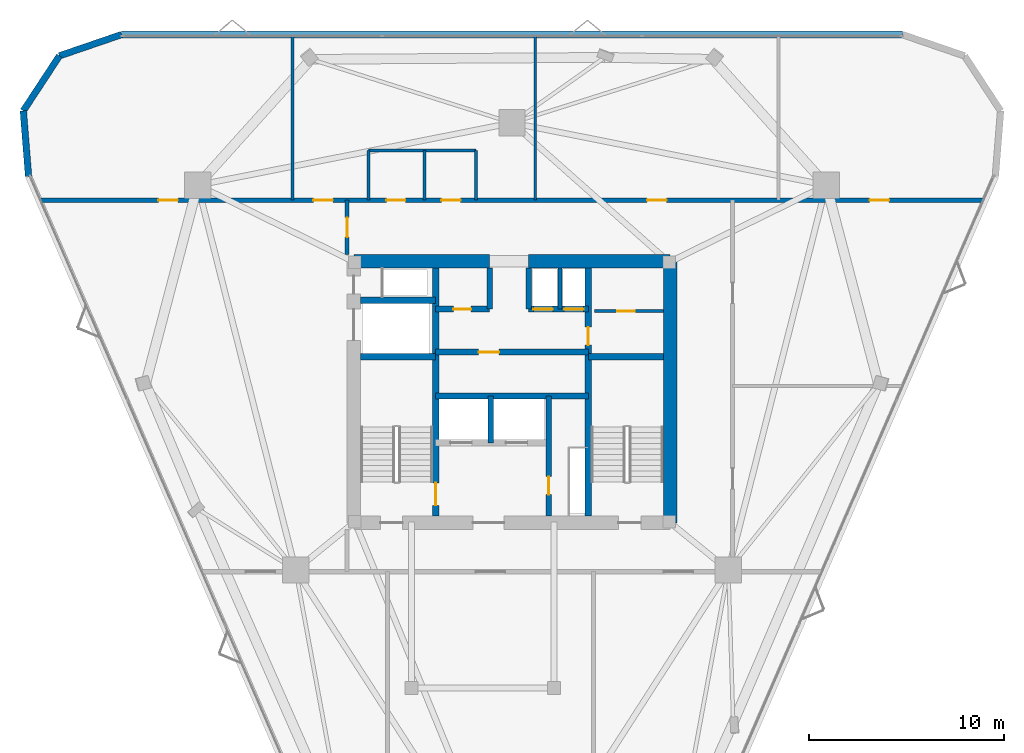
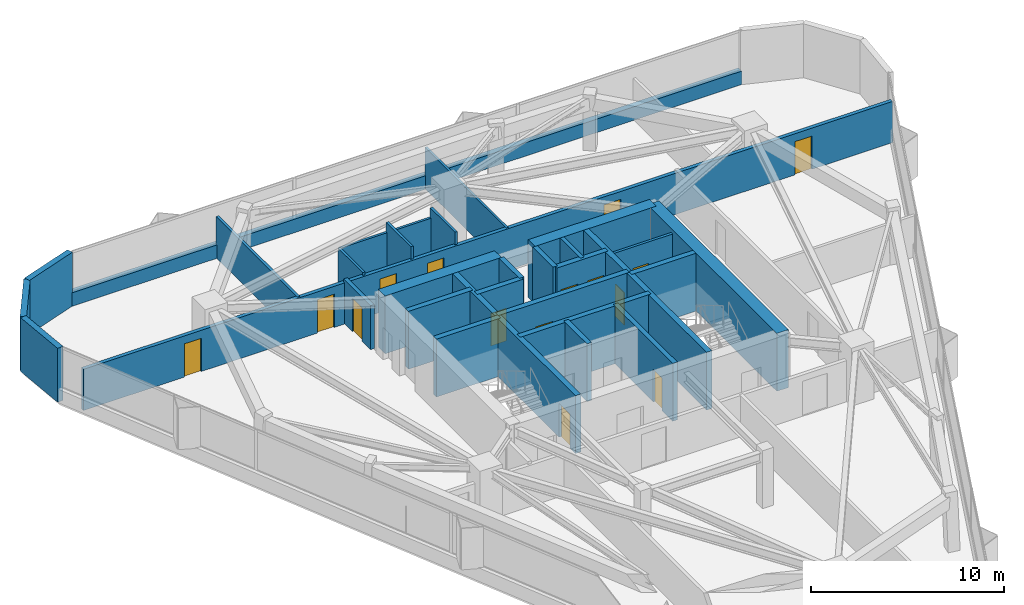
# One storey, part 10 of 12: 30 walls, 15 doors, 15 openings.
"""IFC4 building model written with IfcOpenShell, lengths in metres."""

from ifc_helpers import new_model, si_unit, direction, frame, frame_2d, origin, place, context, subcontext, project, spatial, rectangle, extrude, material, layer, layer_set, type_object, element, fill, save


model = new_model("IFC4")

# Units and contexts
model_context = context("Model", 3, precision=1e-05, world=origin(), true_north=direction((0.0, 1.0)))
body_context = subcontext(model_context, "Body", "Model", "MODEL_VIEW")
ifc_project = project(units=[si_unit("LENGTHUNIT", "METRE"), si_unit("AREAUNIT", "SQUARE_METRE"), si_unit("VOLUMEUNIT", "CUBIC_METRE"), si_unit("PLANEANGLEUNIT", "RADIAN"), si_unit("MASSUNIT", "GRAM", prefix="KILO")], contexts=[model_context])

# Site, building, storey
site_placement = place(None, origin())
site = spatial("IfcSite", under=ifc_project, at=site_placement, CompositionType="ELEMENT")
building_placement = place(site_placement, origin())
building = spatial("IfcBuilding", under=site, at=building_placement, Name="Talyreon Biosciences Tower", CompositionType="ELEMENT")
storey_placement = place(building_placement, frame((0.0, 0.0, 215.89990234375)))
storey = spatial("IfcBuildingStorey", under=building, at=storey_placement, Name="L57", CompositionType="ELEMENT", Elevation=215.89990234375)

# Walls
ifc_material_1 = material(Name="Concrete C50/60", Category="concrete")
ifc_layer_1 = layer(ifc_material_1, 0.219970703125)
ifc_layer_set_1 = layer_set([ifc_layer_1], Name="Concrete C50/60")
wall_type_1 = type_object("IfcWallType", Name="CoreShearWall_220", PredefinedType="SHEAR", material=ifc_layer_set_1)
wall_1_placement = place(storey_placement, frame((68.4599609375, 72.25, 0.0), z_axis=(0.0, 0.0, 1.0), x_axis=(0.0, 1.0, 0.0)))
element("IfcWall", 1, at=wall_1_placement, inside=storey, type_object=wall_type_1, Name="L57 Core Shaft Wall SWPHD", PredefinedType="SHEAR", context=body_context, shape_type="SweptSolid", body=[
    extrude(rectangle(XDim=2.10009765625, YDim=0.219970703125, at=frame_2d((1.050048828125, 0.0))), origin(), (0.0, 0.0, 1.0), 3.650146484375),
])
ifc_layer_2 = layer(ifc_material_1, 0.280029296875)
ifc_layer_set_2 = layer_set([ifc_layer_2], Name="Concrete C50/60")
wall_type_2 = type_object("IfcWallType", Name="CoreShearWall_280", PredefinedType="SHEAR", material=ifc_layer_set_2)
wall_2_placement = place(storey_placement, frame((64.919921875, 65.39990234375, 0.0), z_axis=(0.0, 0.0, 1.0), x_axis=(0.0, 1.0, 0.0)))
element("IfcWall", 2, at=wall_2_placement, inside=storey, type_object=wall_type_2, Name="L57 Core Shaft Wall SWSHD1", PredefinedType="SHEAR", context=body_context, shape_type="SweptSolid", body=[
    extrude(rectangle(XDim=2.400146484375, YDim=0.280029296875, at=frame_2d((1.2001953125, 0.0))), origin(), (0.0, 0.0, 1.0), 3.650146484375),
])
for number, where, z_axis, x_axis, name in (
    (3, (64.85009765625, 72.25, 0.0), (0.0, 0.0, 1.0), (0.0, 1.0, 0.0), "L57 Core Shaft Wall SWTHW"),
    (4, (66.85009765625, 72.25, 0.0), (0.0, 0.0, 1.0), (0.0, 1.0, 0.0), "L57 Core Shaft Wall SWTHE"),
):
    element("IfcWall", number, at=place(storey_placement, frame(where, z_axis=z_axis, x_axis=x_axis)), inside=storey, type_object=wall_type_2, Name=name, PredefinedType="SHEAR", context=body_context, shape_type="SweptSolid", body=[
        extrude(rectangle(XDim=2.10009765625, YDim=0.280029296875, at=frame_2d((1.050048828125, 0.0))), origin(), (0.0, 0.0, 1.0), 3.650146484375),
    ])

# Wall, opening, door
wall_3_placement = place(storey_placement, frame((67.8798828125, 61.64990234375, 0.0), z_axis=(0.0, 0.0, 1.0), x_axis=(0.0, 1.0, 0.0)))
wall_3 = element("IfcWall", 5, at=wall_3_placement, inside=storey, type_object=wall_type_2, Name="L57 Core Shaft Wall SWFFE", PredefinedType="SHEAR", context=body_context, shape_type="SweptSolid", body=[
    extrude(rectangle(XDim=6.150146484375, YDim=0.280029296875, at=frame_2d((3.0751953125, 0.0))), origin(), (0.0, 0.0, 1.0), 3.650146484375),
])
opening_1_placement = place(wall_3_placement, frame((1.10009765625, 0.0, 0.0)))
opening_1 = element("IfcOpeningElement", 6, at=opening_1_placement, cuts=wall_3, Name="Opening DR-L57-RSE", PredefinedType="OPENING", context=body_context, shape_type="SweptSolid", body=[
    extrude(rectangle(XDim=0.919921875, YDim=2.050048828125, at=frame_2d((0.4599609375, 1.02490234375))), frame((0.0, 0.14990234375, 0.0), z_axis=(0.0, -1.0, 0.0), x_axis=(1.0, 0.0, 0.0)), (0.0, 0.0, 1.0), 0.300048828125),
])
ifc_material_2 = material(Name="Painted steel fire-rated riser door", Category="steel")
door_type_1 = type_object("IfcDoorType", Name="RiserPlantAccessDoor_920x2050", OperationType="NOTDEFINED", PredefinedType="DOOR", material=ifc_material_2)
door_1_placement = place(opening_1_placement, origin())
door_1 = element("IfcDoor", 7, at=door_1_placement, inside=storey, type_object=door_type_1, Name="L57 Core Door DR-L57-RSE", OperationType="SINGLE_SWING_RIGHT", OverallHeight=2.050048828125, OverallWidth=0.919921875, PredefinedType="DOOR", context=body_context, shape_type="SweptSolid", body=[
    extrude(rectangle(XDim=0.919921875, YDim=2.050048828125, at=frame_2d((0.4599609375, 1.02490234375))), frame((0.0, 0.02490234375, 0.0), z_axis=(0.0, -1.0, 0.0), x_axis=(1.0, 0.0, 0.0)), (0.0, 0.0, 1.0), 0.050048828125),
])
fill(opening_1, door_1)

ifc_layer_3 = layer(ifc_material_1, 0.320068359375)
ifc_layer_set_3 = layer_set([ifc_layer_3], Name="Concrete C50/60")
wall_type_3 = type_object("IfcWallType", Name="CoreShearWall_320", PredefinedType="SHEAR", material=ifc_layer_set_3)
wall_4_placement = place(storey_placement, frame((62.090087890625, 61.64990234375, 0.0), z_axis=(0.0, 0.0, 1.0), x_axis=(0.0, 1.0, 0.0)))
wall_4 = element("IfcWall", 8, at=wall_4_placement, inside=storey, type_object=wall_type_3, Name="L57 Core Shaft Wall SW1E", PredefinedType="SHEAR", context=body_context, shape_type="SweptSolid", body=[
    extrude(rectangle(XDim=12.7001953125, YDim=0.320068359375, at=frame_2d((6.35009765625, 0.0))), origin(), (0.0, 0.0, 1.0), 3.650146484375),
])
opening_2_placement = place(wall_4_placement, frame((0.550048828125, 0.0, 0.0)))
opening_2 = element("IfcOpeningElement", 9, at=opening_2_placement, cuts=wall_4, Name="Opening DR-L57-FF-ST1", PredefinedType="OPENING", context=body_context, shape_type="SweptSolid", body=[
    extrude(rectangle(XDim=1.14990234375, YDim=2.14990234375, at=frame_2d((0.574951171875, 1.074951171875))), frame((0.0, 0.169921875, 0.0), z_axis=(0.0, -1.0, 0.0), x_axis=(1.0, 0.0, 0.0)), (0.0, 0.0, 1.0), 0.340087890625),
])
ifc_material_3 = material(Name="Painted steel fire door", Category="steel")
door_type_2 = type_object("IfcDoorType", Name="StairShaftFireDoor_1150x2150", OperationType="NOTDEFINED", PredefinedType="DOOR", material=ifc_material_3)
door_2_placement = place(opening_2_placement, origin())
door_2 = element("IfcDoor", 10, at=door_2_placement, inside=storey, type_object=door_type_2, Name="L57 Core Door DR-L57-FF-ST1", OperationType="SINGLE_SWING_LEFT", OverallHeight=2.14990234375, OverallWidth=1.14990234375, PredefinedType="DOOR", context=body_context, shape_type="SweptSolid", body=[
    extrude(rectangle(XDim=1.14990234375, YDim=2.14990234375, at=frame_2d((0.574951171875, 1.074951171875))), frame((0.0, 0.02490234375, 0.0), z_axis=(0.0, -1.0, 0.0), x_axis=(1.0, 0.0, 0.0)), (0.0, 0.0, 1.0), 0.050048828125),
])
fill(opening_2, door_2)

wall_5_placement = place(storey_placement, frame((69.909912109375, 61.64990234375, 0.0), z_axis=(0.0, 0.0, 1.0), x_axis=(0.0, 1.0, 0.0)))
wall_5 = element("IfcWall", 11, at=wall_5_placement, inside=storey, type_object=wall_type_3, Name="L57 Core Shaft Wall SW2W", PredefinedType="SHEAR", context=body_context, shape_type="SweptSolid", body=[
    extrude(rectangle(XDim=12.7001953125, YDim=0.320068359375, at=frame_2d((6.35009765625, 0.0))), origin(), (0.0, 0.0, 1.0), 3.650146484375),
])
opening_3_placement = place(wall_5_placement, frame((8.75, 0.0, 0.0)))
opening_3 = element("IfcOpeningElement", 12, at=opening_3_placement, cuts=wall_5, Name="Opening DR-L57-CSRV", PredefinedType="OPENING", context=body_context, shape_type="SweptSolid", body=[
    extrude(rectangle(XDim=0.919921875, YDim=2.050048828125, at=frame_2d((0.4599609375, 1.02490234375))), frame((0.0, 0.169921875, 0.0), z_axis=(0.0, -1.0, 0.0), x_axis=(1.0, 0.0, 0.0)), (0.0, 0.0, 1.0), 0.340087890625),
])
door_3_placement = place(opening_3_placement, origin())
door_3 = element("IfcDoor", 13, at=door_3_placement, inside=storey, type_object=door_type_1, Name="L57 Core Door DR-L57-CSRV", OperationType="SINGLE_SWING_RIGHT", OverallHeight=2.050048828125, OverallWidth=0.919921875, PredefinedType="DOOR", context=body_context, shape_type="SweptSolid", body=[
    extrude(rectangle(XDim=0.919921875, YDim=2.050048828125, at=frame_2d((0.4599609375, 1.02490234375))), frame((0.0, 0.02490234375, 0.0), z_axis=(0.0, -1.0, 0.0), x_axis=(1.0, 0.0, 0.0)), (0.0, 0.0, 1.0), 0.050048828125),
])
fill(opening_3, door_3)

# Walls
for number, where, z_axis, x_axis, name in (
    (14, (58.25, 69.81005859375, 0.0), (0.0, 0.0, 1.0), (1.0, 0.0, 0.0), "L57 Core Shaft Wall SW1N"),
    (15, (69.909912109375, 69.81005859375, 0.0), (0.0, 0.0, 1.0), (1.0, 0.0, 0.0), "L57 Core Shaft Wall SW2N"),
    (16, (58.25, 72.699951171875, 0.0), (0.0, 0.0, 1.0), (1.0, 0.0, 0.0), "L57 Core Shaft Wall SWGLN"),
):
    element("IfcWall", number, at=place(storey_placement, frame(where, z_axis=z_axis, x_axis=x_axis)), inside=storey, type_object=wall_type_3, Name=name, PredefinedType="SHEAR", context=body_context, shape_type="SweptSolid", body=[
        extrude(rectangle(XDim=3.840087890625, YDim=0.320068359375, at=frame_2d((1.919921875, 0.0))), origin(), (0.0, 0.0, 1.0), 3.650146484375),
    ])
wall_6_placement = place(storey_placement, frame((62.090087890625, 67.800048828125, 0.0), z_axis=(0.0, 0.0, 1.0), x_axis=(1.0, 0.0, 0.0)))
element("IfcWall", 17, at=wall_6_placement, inside=storey, type_object=wall_type_3, Name="L57 Core Shaft Wall SWSHM", PredefinedType="SHEAR", context=body_context, shape_type="SweptSolid", body=[
    extrude(rectangle(XDim=7.81982421875, YDim=0.320068359375, at=frame_2d((3.909912109375, 0.0))), origin(), (0.0, 0.0, 1.0), 3.650146484375),
])

# Wall, opening, door
wall_7_placement = place(storey_placement, frame((62.090087890625, 70.050048828125, 0.0), z_axis=(0.0, 0.0, 1.0), x_axis=(1.0, 0.0, 0.0)))
wall_7 = element("IfcWall", 18, at=wall_7_placement, inside=storey, type_object=wall_type_3, Name="L57 Core Shaft Wall SWSPN", PredefinedType="SHEAR", context=body_context, shape_type="SweptSolid", body=[
    extrude(rectangle(XDim=7.81982421875, YDim=0.320068359375, at=frame_2d((3.909912109375, 0.0))), origin(), (0.0, 0.0, 1.0), 3.650146484375),
])
opening_4_placement = place(wall_7_placement, frame((2.199951171875, 0.0, 0.0)))
opening_4 = element("IfcOpeningElement", 19, at=opening_4_placement, cuts=wall_7, Name="Opening DR-L57-PLPMFREE", PredefinedType="OPENING", context=body_context, shape_type="SweptSolid", body=[
    extrude(rectangle(XDim=1.050048828125, YDim=2.14990234375, at=frame_2d((0.52490234375, 1.074951171875))), frame((0.0, 0.169921875, 0.0), z_axis=(0.0, -1.0, 0.0), x_axis=(1.0, 0.0, 0.0)), (0.0, 0.0, 1.0), 0.340087890625),
])
ifc_material_4 = material(Name="Acoustic timber-core laboratory door", Category="wood")
door_type_3 = type_object("IfcDoorType", Name="DryLabSingleDoor_1050x2150", OperationType="NOTDEFINED", PredefinedType="DOOR", material=ifc_material_4)
door_4_placement = place(opening_4_placement, origin())
door_4 = element("IfcDoor", 20, at=door_4_placement, inside=storey, type_object=door_type_3, Name="L57 Core Door DR-L57-PLPMFREE", OperationType="SINGLE_SWING_LEFT", OverallHeight=2.14990234375, OverallWidth=1.050048828125, PredefinedType="DOOR", context=body_context, shape_type="SweptSolid", body=[
    extrude(rectangle(XDim=1.050048828125, YDim=2.14990234375, at=frame_2d((0.52490234375, 1.074951171875))), frame((0.0, 0.02490234375, 0.0), z_axis=(0.0, -1.0, 0.0), x_axis=(1.0, 0.0, 0.0)), (0.0, 0.0, 1.0), 0.050048828125),
])
fill(opening_4, door_4)

wall_8_placement = place(storey_placement, frame((62.090087890625, 72.25, 0.0), z_axis=(0.0, 0.0, 1.0), x_axis=(1.0, 0.0, 0.0)))
wall_8 = element("IfcWall", 21, at=wall_8_placement, inside=storey, type_object=wall_type_3, Name="L57 Core Shaft Wall SWNPW", PredefinedType="SHEAR", context=body_context, shape_type="SweptSolid", body=[
    extrude(rectangle(XDim=2.760009765625, YDim=0.320068359375, at=frame_2d((1.3798828125, 0.0))), origin(), (0.0, 0.0, 1.0), 3.650146484375),
])
opening_5_placement = place(wall_8_placement, frame((0.89990234375, 0.0, 0.0)))
opening_5 = element("IfcOpeningElement", 22, at=opening_5_placement, cuts=wall_8, Name="Opening DR-L57-PM2FREE", PredefinedType="OPENING", context=body_context, shape_type="SweptSolid", body=[
    extrude(rectangle(XDim=0.919921875, YDim=2.050048828125, at=frame_2d((0.4599609375, 1.02490234375))), frame((0.0, 0.169921875, 0.0), z_axis=(0.0, -1.0, 0.0), x_axis=(1.0, 0.0, 0.0)), (0.0, 0.0, 1.0), 0.340087890625),
])
door_5_placement = place(opening_5_placement, origin())
door_5 = element("IfcDoor", 23, at=door_5_placement, inside=storey, type_object=door_type_1, Name="L57 Core Door DR-L57-PM2FREE", OperationType="SINGLE_SWING_RIGHT", OverallHeight=2.050048828125, OverallWidth=0.919921875, PredefinedType="DOOR", context=body_context, shape_type="SweptSolid", body=[
    extrude(rectangle(XDim=0.919921875, YDim=2.050048828125, at=frame_2d((0.4599609375, 1.02490234375))), frame((0.0, 0.02490234375, 0.0), z_axis=(0.0, -1.0, 0.0), x_axis=(1.0, 0.0, 0.0)), (0.0, 0.0, 1.0), 0.050048828125),
])
fill(opening_5, door_5)

# Wall, openings, doors
wall_9_placement = place(storey_placement, frame((66.85009765625, 72.25, 0.0), z_axis=(0.0, 0.0, 1.0), x_axis=(1.0, 0.0, 0.0)))
wall_9 = element("IfcWall", 24, at=wall_9_placement, inside=storey, type_object=wall_type_3, Name="L57 Core Shaft Wall SWNPE", PredefinedType="SHEAR", context=body_context, shape_type="SweptSolid", body=[
    extrude(rectangle(XDim=3.059814453125, YDim=0.320068359375, at=frame_2d((1.52978515625, 0.0))), origin(), (0.0, 0.0, 1.0), 3.650146484375),
])
opening_6_placement = place(wall_9_placement, frame((0.25, 0.0, 0.0)))
opening_6 = element("IfcOpeningElement", 25, at=opening_6_placement, cuts=wall_9, Name="Opening LD-L57-PH1", PredefinedType="OPENING", context=body_context, shape_type="SweptSolid", body=[
    extrude(rectangle(XDim=1.0, YDim=2.199951171875, at=frame_2d((0.5, 1.10009765625))), frame((0.0, 0.169921875, 0.0), z_axis=(0.0, -1.0, 0.0), x_axis=(1.0, 0.0, 0.0)), (0.0, 0.0, 1.0), 0.340087890625),
])
opening_7_placement = place(wall_9_placement, frame((1.820068359375, 0.0, 0.0)))
opening_7 = element("IfcOpeningElement", 26, at=opening_7_placement, cuts=wall_9, Name="Opening LD-L57-PH2", PredefinedType="OPENING", context=body_context, shape_type="SweptSolid", body=[
    extrude(rectangle(XDim=1.0, YDim=2.199951171875, at=frame_2d((0.5, 1.10009765625))), frame((0.0, 0.169921875, 0.0), z_axis=(0.0, -1.0, 0.0), x_axis=(1.0, 0.0, 0.0)), (0.0, 0.0, 1.0), 0.340087890625),
])
ifc_material_5 = material(Name="Brushed stainless-steel lift landing door", Category="steel")
door_type_4 = type_object("IfcDoorType", Name="LiftSlidingLandingDoor_1100x2200", OperationType="SLIDING_TO_LEFT", PredefinedType="DOOR", material=ifc_material_5)
door_6_placement = place(opening_6_placement, origin())
door_6 = element("IfcDoor", 27, at=door_6_placement, inside=storey, type_object=door_type_4, Name="L57 Core Door LD-L57-PH1", OperationType="SLIDING_TO_LEFT", OverallHeight=2.199951171875, OverallWidth=1.0, PredefinedType="DOOR", context=body_context, shape_type="SweptSolid", body=[
    extrude(rectangle(XDim=1.0, YDim=2.199951171875, at=frame_2d((0.5, 1.10009765625))), frame((0.0, 0.02490234375, 0.0), z_axis=(0.0, -1.0, 0.0), x_axis=(1.0, 0.0, 0.0)), (0.0, 0.0, 1.0), 0.050048828125),
])
fill(opening_6, door_6)
door_7_placement = place(opening_7_placement, origin())
door_7 = element("IfcDoor", 28, at=door_7_placement, inside=storey, type_object=door_type_4, Name="L57 Core Door LD-L57-PH2", OperationType="SLIDING_TO_LEFT", OverallHeight=2.199951171875, OverallWidth=1.0, PredefinedType="DOOR", context=body_context, shape_type="SweptSolid", body=[
    extrude(rectangle(XDim=1.0, YDim=2.199951171875, at=frame_2d((0.5, 1.10009765625))), frame((0.0, 0.02490234375, 0.0), z_axis=(0.0, -1.0, 0.0), x_axis=(1.0, 0.0, 0.0)), (0.0, 0.0, 1.0), 0.050048828125),
])
fill(opening_7, door_7)

# Walls
ifc_layer_4 = layer(ifc_material_1, 0.699951171875)
ifc_layer_set_4 = layer_set([ifc_layer_4], Name="Concrete C50/60")
wall_type_4 = type_object("IfcWallType", Name="CoreShearWall_700", PredefinedType="SHEAR", material=ifc_layer_set_4)
wall_10_placement = place(storey_placement, frame((74.10009765625, 61.300048828125, 0.0), z_axis=(0.0, 0.0, 1.0), x_axis=(0.0, 1.0, 0.0)))
element("IfcWall", 29, at=wall_10_placement, inside=storey, type_object=wall_type_4, Name="L57 Core Shear Wall E", PredefinedType="SHEAR", context=body_context, shape_type="SweptSolid", body=[
    extrude(rectangle(XDim=13.39990234375, YDim=0.699951171875, at=frame_2d((6.699951171875, 0.0))), origin(), (0.0, 0.0, 1.0), 3.650146484375),
])
wall_11_placement = place(storey_placement, frame((74.10009765625, 74.699951171875, 0.0), z_axis=(0.0, 0.0, 1.0), x_axis=(-1.0, 0.0, 0.0)))
element("IfcWall", 30, at=wall_11_placement, inside=storey, type_object=wall_type_4, Name="L57 Core Shear Wall NE", PredefinedType="SHEAR", context=body_context, shape_type="SweptSolid", body=[
    extrude(rectangle(XDim=7.25, YDim=0.699951171875, at=frame_2d((3.625, 0.0))), origin(), (0.0, 0.0, 1.0), 3.650146484375),
])
wall_12_placement = place(storey_placement, frame((64.85009765625, 74.699951171875, 0.0), z_axis=(0.0, 0.0, 1.0), x_axis=(-1.0, 0.0, 0.0)))
element("IfcWall", 31, at=wall_12_placement, inside=storey, type_object=wall_type_4, Name="L57 Core Shear Wall NW", PredefinedType="SHEAR", context=body_context, shape_type="SweptSolid", body=[
    extrude(rectangle(XDim=6.9501953125, YDim=0.699951171875, at=frame_2d((3.47509765625, 0.0))), origin(), (0.0, 0.0, 1.0), 3.650146484375),
])

# Wall, openings, doors
ifc_material_6 = material(Name="Gypsum fireboard acoustic stud", Category="gypsum")
ifc_layer_5 = layer(ifc_material_6, 0.219970703125)
ifc_layer_set_5 = layer_set([ifc_layer_5], Name="Gypsum fireboard acoustic stud")
wall_type_5 = type_object("IfcWallType", Name="CorridorRatedPartition_220", PredefinedType="PARTITIONING", material=ifc_layer_set_5)
wall_13_placement = place(storey_placement, frame((41.8515625, 77.830078125, 0.0), z_axis=(0.0, 0.0, 1.0), x_axis=(1.0, 0.0, 0.0)))
wall_13 = element("IfcWall", 32, at=wall_13_placement, inside=storey, type_object=wall_type_5, Name="L57 Interior Wall IW-L57-COR-N", PredefinedType="PARTITIONING", context=body_context, shape_type="SweptSolid", body=[
    extrude(rectangle(XDim=48.296875, YDim=0.219970703125, at=frame_2d((24.1484375, 0.0))), origin(), (0.0, 0.0, 1.0), 2.60009765625),
])
opening_8_placement = place(wall_13_placement, frame((17.7080078125, 0.0, 0.0)))
opening_8 = element("IfcOpeningElement", 33, at=opening_8_placement, cuts=wall_13, Name="Opening DR-L57-WC", PredefinedType="OPENING", context=body_context, shape_type="SweptSolid", body=[
    extrude(rectangle(XDim=0.97998046875, YDim=2.10009765625, at=frame_2d((0.489990234375, 1.050048828125))), frame((0.0, 0.119873046875, 0.0), z_axis=(0.0, -1.0, 0.0), x_axis=(1.0, 0.0, 0.0)), (0.0, 0.0, 1.0), 0.239990234375),
])
opening_9_placement = place(wall_13_placement, frame((20.532958984375, 0.0, 0.0)))
opening_9 = element("IfcOpeningElement", 34, at=opening_9_placement, cuts=wall_13, Name="Opening DR-L57-AWC", PredefinedType="OPENING", context=body_context, shape_type="SweptSolid", body=[
    extrude(rectangle(XDim=0.97998046875, YDim=2.10009765625, at=frame_2d((0.489990234375, 1.050048828125))), frame((0.0, 0.119873046875, 0.0), z_axis=(0.0, -1.0, 0.0), x_axis=(1.0, 0.0, 0.0)), (0.0, 0.0, 1.0), 0.239990234375),
])
opening_10_placement = place(wall_13_placement, frame((6.02587890625, 0.0, 0.0)))
opening_10 = element("IfcOpeningElement", 35, at=opening_10_placement, cuts=wall_13, Name="Opening DR-L57-N1A", PredefinedType="OPENING", context=body_context, shape_type="SweptSolid", body=[
    extrude(rectangle(XDim=1.0, YDim=2.10009765625, at=frame_2d((0.5, 1.050048828125))), frame((0.0, 0.119873046875, 0.0), z_axis=(0.0, -1.0, 0.0), x_axis=(1.0, 0.0, 0.0)), (0.0, 0.0, 1.0), 0.239990234375),
])
opening_11_placement = place(wall_13_placement, frame((13.968017578125, 0.0, 0.0)))
opening_11 = element("IfcOpeningElement", 36, at=opening_11_placement, cuts=wall_13, Name="Opening DR-L57-N2A", PredefinedType="OPENING", context=body_context, shape_type="SweptSolid", body=[
    extrude(rectangle(XDim=1.0, YDim=2.10009765625, at=frame_2d((0.5, 1.050048828125))), frame((0.0, 0.119873046875, 0.0), z_axis=(0.0, -1.0, 0.0), x_axis=(1.0, 0.0, 0.0)), (0.0, 0.0, 1.0), 0.239990234375),
])
opening_12_placement = place(wall_13_placement, frame((31.072021484375, 0.0, 0.0)))
opening_12 = element("IfcOpeningElement", 37, at=opening_12_placement, cuts=wall_13, Name="Opening DR-L57-N3A", PredefinedType="OPENING", context=body_context, shape_type="SweptSolid", body=[
    extrude(rectangle(XDim=1.0, YDim=2.10009765625, at=frame_2d((0.5, 1.050048828125))), frame((0.0, 0.119873046875, 0.0), z_axis=(0.0, -1.0, 0.0), x_axis=(1.0, 0.0, 0.0)), (0.0, 0.0, 1.0), 0.239990234375),
])
opening_13_placement = place(wall_13_placement, frame((42.470947265625, 0.0, 0.0)))
opening_13 = element("IfcOpeningElement", 38, at=opening_13_placement, cuts=wall_13, Name="Opening DR-L57-N4A", PredefinedType="OPENING", context=body_context, shape_type="SweptSolid", body=[
    extrude(rectangle(XDim=1.0, YDim=2.10009765625, at=frame_2d((0.5, 1.050048828125))), frame((0.0, 0.119873046875, 0.0), z_axis=(0.0, -1.0, 0.0), x_axis=(1.0, 0.0, 0.0)), (0.0, 0.0, 1.0), 0.239990234375),
])
ifc_material_7 = material(Name="Laminate moisture-resistant door", Category="wood")
door_type_5 = type_object("IfcDoorType", Name="AccessibleToiletDoor_980x2100", OperationType="NOTDEFINED", PredefinedType="DOOR", material=ifc_material_7)
door_8_placement = place(opening_8_placement, origin())
door_8 = element("IfcDoor", 39, at=door_8_placement, inside=storey, type_object=door_type_5, Name="L57 Interior Door DR-L57-WC", OperationType="SINGLE_SWING_LEFT", OverallHeight=2.10009765625, OverallWidth=0.97998046875, PredefinedType="DOOR", context=body_context, shape_type="SweptSolid", body=[
    extrude(rectangle(XDim=0.97998046875, YDim=2.10009765625, at=frame_2d((0.489990234375, 1.050048828125))), frame((0.0, 0.02490234375, 0.0), z_axis=(0.0, -1.0, 0.0), x_axis=(1.0, 0.0, 0.0)), (0.0, 0.0, 1.0), 0.050048828125),
])
fill(opening_8, door_8)
door_9_placement = place(opening_9_placement, origin())
door_9 = element("IfcDoor", 40, at=door_9_placement, inside=storey, type_object=door_type_5, Name="L57 Interior Door DR-L57-AWC", OperationType="SINGLE_SWING_LEFT", OverallHeight=2.10009765625, OverallWidth=0.97998046875, PredefinedType="DOOR", context=body_context, shape_type="SweptSolid", body=[
    extrude(rectangle(XDim=0.97998046875, YDim=2.10009765625, at=frame_2d((0.489990234375, 1.050048828125))), frame((0.0, 0.02490234375, 0.0), z_axis=(0.0, -1.0, 0.0), x_axis=(1.0, 0.0, 0.0)), (0.0, 0.0, 1.0), 0.050048828125),
])
fill(opening_9, door_9)
ifc_material_8 = material(Name="Acoustic oak veneer office door", Category="wood")
door_type_6 = type_object("IfcDoorType", Name="WriteupOfficeDoor_1000x2100", OperationType="NOTDEFINED", PredefinedType="DOOR", material=ifc_material_8)
door_10_placement = place(opening_10_placement, origin())
door_10 = element("IfcDoor", 41, at=door_10_placement, inside=storey, type_object=door_type_6, Name="L57 Interior Door DR-L57-N1A", OperationType="SINGLE_SWING_LEFT", OverallHeight=2.10009765625, OverallWidth=1.0, PredefinedType="DOOR", context=body_context, shape_type="SweptSolid", body=[
    extrude(rectangle(XDim=1.0, YDim=2.10009765625, at=frame_2d((0.5, 1.050048828125))), frame((0.0, 0.02490234375, 0.0), z_axis=(0.0, -1.0, 0.0), x_axis=(1.0, 0.0, 0.0)), (0.0, 0.0, 1.0), 0.050048828125),
])
fill(opening_10, door_10)
door_11_placement = place(opening_11_placement, origin())
door_11 = element("IfcDoor", 42, at=door_11_placement, inside=storey, type_object=door_type_6, Name="L57 Interior Door DR-L57-N2A", OperationType="SINGLE_SWING_LEFT", OverallHeight=2.10009765625, OverallWidth=1.0, PredefinedType="DOOR", context=body_context, shape_type="SweptSolid", body=[
    extrude(rectangle(XDim=1.0, YDim=2.10009765625, at=frame_2d((0.5, 1.050048828125))), frame((0.0, 0.02490234375, 0.0), z_axis=(0.0, -1.0, 0.0), x_axis=(1.0, 0.0, 0.0)), (0.0, 0.0, 1.0), 0.050048828125),
])
fill(opening_11, door_11)
door_12_placement = place(opening_12_placement, origin())
door_12 = element("IfcDoor", 43, at=door_12_placement, inside=storey, type_object=door_type_6, Name="L57 Interior Door DR-L57-N3A", OperationType="SINGLE_SWING_RIGHT", OverallHeight=2.10009765625, OverallWidth=1.0, PredefinedType="DOOR", context=body_context, shape_type="SweptSolid", body=[
    extrude(rectangle(XDim=1.0, YDim=2.10009765625, at=frame_2d((0.5, 1.050048828125))), frame((0.0, 0.02490234375, 0.0), z_axis=(0.0, -1.0, 0.0), x_axis=(1.0, 0.0, 0.0)), (0.0, 0.0, 1.0), 0.050048828125),
])
fill(opening_12, door_12)
door_13_placement = place(opening_13_placement, origin())
door_13 = element("IfcDoor", 44, at=door_13_placement, inside=storey, type_object=door_type_6, Name="L57 Interior Door DR-L57-N4A", OperationType="SINGLE_SWING_RIGHT", OverallHeight=2.10009765625, OverallWidth=1.0, PredefinedType="DOOR", context=body_context, shape_type="SweptSolid", body=[
    extrude(rectangle(XDim=1.0, YDim=2.10009765625, at=frame_2d((0.5, 1.050048828125))), frame((0.0, 0.02490234375, 0.0), z_axis=(0.0, -1.0, 0.0), x_axis=(1.0, 0.0, 0.0)), (0.0, 0.0, 1.0), 0.050048828125),
])
fill(opening_13, door_13)

# Wall, opening, door
wall_14_placement = place(storey_placement, frame((57.550048828125, 75.050048828125, 0.0), z_axis=(0.0, 0.0, 1.0), x_axis=(0.0, 1.0, 0.0)))
wall_14 = element("IfcWall", 45, at=wall_14_placement, inside=storey, type_object=wall_type_5, Name="L57 Interior Wall IW-L57-WCAP-N", PredefinedType="PARTITIONING", context=body_context, shape_type="SweptSolid", body=[
    extrude(rectangle(XDim=2.780029296875, YDim=0.219970703125, at=frame_2d((1.39013671875, 0.0))), origin(), (0.0, 0.0, 1.0), 2.780029296875),
])
opening_14_placement = place(wall_14_placement, frame((0.889892578125, 0.0, 0.0)))
opening_14 = element("IfcOpeningElement", 46, at=opening_14_placement, cuts=wall_14, Name="Opening DR-L57-W1A", PredefinedType="OPENING", context=body_context, shape_type="SweptSolid", body=[
    extrude(rectangle(XDim=1.0, YDim=2.10009765625, at=frame_2d((0.5, 1.050048828125))), frame((0.0, 0.119873046875, 0.0), z_axis=(0.0, -1.0, 0.0), x_axis=(1.0, 0.0, 0.0)), (0.0, 0.0, 1.0), 0.239990234375),
])
door_14_placement = place(opening_14_placement, origin())
door_14 = element("IfcDoor", 47, at=door_14_placement, inside=storey, type_object=door_type_6, Name="L57 Interior Door DR-L57-W1A", OperationType="SINGLE_SWING_LEFT", OverallHeight=2.10009765625, OverallWidth=1.0, PredefinedType="DOOR", context=body_context, shape_type="SweptSolid", body=[
    extrude(rectangle(XDim=1.0, YDim=2.10009765625, at=frame_2d((0.5, 1.050048828125))), frame((0.0, 0.02490234375, 0.0), z_axis=(0.0, -1.0, 0.0), x_axis=(1.0, 0.0, 0.0)), (0.0, 0.0, 1.0), 0.050048828125),
])
fill(opening_14, door_14)

ifc_material_9 = material(Name="Gypsum acoustic stud partition", Category="gypsum")
ifc_layer_6 = layer(ifc_material_9, 0.159912109375)
ifc_layer_set_6 = layer_set([ifc_layer_6], Name="Gypsum acoustic stud partition")
wall_type_6 = type_object("IfcWallType", Name="LabSeparationPartition_160", PredefinedType="PARTITIONING", material=ifc_layer_set_6)
wall_15_placement = place(storey_placement, frame((70.22998046875, 72.14990234375, 0.0), z_axis=(0.0, 0.0, 1.0), x_axis=(1.0, 0.0, 0.0)))
wall_15 = element("IfcWall", 48, at=wall_15_placement, inside=storey, type_object=wall_type_6, Name="L57 Interior Wall IW-L57-CSRV-H", PredefinedType="PARTITIONING", context=body_context, shape_type="SweptSolid", body=[
    extrude(rectangle(XDim=3.52001953125, YDim=0.159912109375, at=frame_2d((1.760009765625, 0.0))), origin(), (0.0, 0.0, 1.0), 3.400146484375),
])
opening_15_placement = place(wall_15_placement, frame((1.14990234375, 0.0, 0.0)))
opening_15 = element("IfcOpeningElement", 49, at=opening_15_placement, cuts=wall_15, Name="Opening DR-L57-CSRV-I", PredefinedType="OPENING", context=body_context, shape_type="SweptSolid", body=[
    extrude(rectangle(XDim=0.919921875, YDim=2.050048828125, at=frame_2d((0.4599609375, 1.02490234375))), frame((0.0, 0.08984375, 0.0), z_axis=(0.0, -1.0, 0.0), x_axis=(1.0, 0.0, 0.0)), (0.0, 0.0, 1.0), 0.179931640625),
])
door_15_placement = place(opening_15_placement, origin())
door_15 = element("IfcDoor", 50, at=door_15_placement, inside=storey, type_object=door_type_1, Name="L57 Interior Door DR-L57-CSRV-I", OperationType="SINGLE_SWING_LEFT", OverallHeight=2.050048828125, OverallWidth=0.919921875, PredefinedType="DOOR", context=body_context, shape_type="SweptSolid", body=[
    extrude(rectangle(XDim=0.919921875, YDim=2.050048828125, at=frame_2d((0.4599609375, 1.02490234375))), frame((0.0, 0.02490234375, 0.0), z_axis=(0.0, -1.0, 0.0), x_axis=(1.0, 0.0, 0.0)), (0.0, 0.0, 1.0), 0.050048828125),
])
fill(opening_15, door_15)

# Walls
wall_16_placement = place(storey_placement, frame((54.7529296875, 77.830078125, 0.0), z_axis=(0.0, 0.0, 1.0), x_axis=(0.0, 1.0, 0.0)))
element("IfcWall", 51, at=wall_16_placement, inside=storey, type_object=wall_type_6, Name="L57 Interior Wall IW-L57-NDIV1", PredefinedType="PARTITIONING", context=body_context, shape_type="SweptSolid", body=[
    extrude(rectangle(XDim=8.4033203125, YDim=0.159912109375, at=frame_2d((4.20166015625, 0.0))), origin(), (0.0, 0.0, 1.0), 2.60009765625),
])
ifc_layer_7 = layer(ifc_material_9, 0.1298828125)
ifc_layer_set_7 = layer_set([ifc_layer_7], Name="Gypsum acoustic stud partition")
wall_type_7 = type_object("IfcWallType", Name="OfficeWriteupPartition_130", PredefinedType="PARTITIONING", material=ifc_layer_set_7)
wall_17_placement = place(storey_placement, frame((67.199951171875, 77.830078125, 0.0), z_axis=(0.0, 0.0, 1.0), x_axis=(0.0, 1.0, 0.0)))
element("IfcWall", 52, at=wall_17_placement, inside=storey, type_object=wall_type_7, Name="L57 Interior Wall IW-L57-NDIV2", PredefinedType="PARTITIONING", context=body_context, shape_type="SweptSolid", body=[
    extrude(rectangle(XDim=8.4033203125, YDim=0.1298828125, at=frame_2d((4.20166015625, 0.0))), origin(), (0.0, 0.0, 1.0), 2.60009765625),
])
ifc_material_10 = material(Name="Precast concrete C45/55", Category="concrete")
ifc_layer_8 = layer(ifc_material_10, 0.340087890625)
ifc_layer_set_8 = layer_set([ifc_layer_8], Name="Precast concrete C45/55")
wall_type_8 = type_object("IfcWallType", Name="PrecastConcreteSpandrelWall_340", PredefinedType="STANDARD", material=ifc_layer_set_8)
wall_18_placement = place(storey_placement, frame((41.23046875, 79.046875, 0.0), z_axis=(0.0, 0.0, 1.0), x_axis=(-0.079598407838, 0.996827012811, 0.0)))
element("IfcWall", 53, at=wall_18_placement, inside=storey, type_object=wall_type_8, Name="L57 Rounded-Corner Concrete Pier 01", PredefinedType="STANDARD", context=body_context, shape_type="SweptSolid", body=[
    extrude(rectangle(XDim=3.370849609375, YDim=0.340087890625, at=frame_2d((1.685546875, 0.0))), origin(), (0.0, 0.0, 1.0), 3.400146484375),
])
wall_19_placement = place(storey_placement, frame((40.962158203125, 82.406982421875, 0.0), z_axis=(0.0, 0.0, 1.0), x_axis=(0.548450776456, 0.836182842329, 0.0)))
element("IfcWall", 54, at=wall_19_placement, inside=storey, type_object=wall_type_8, Name="L57 Rounded-Corner Concrete Pier 02", PredefinedType="STANDARD", context=body_context, shape_type="SweptSolid", body=[
    extrude(rectangle(XDim=3.37109375, YDim=0.340087890625, at=frame_2d((1.685546875, 0.0))), origin(), (0.0, 0.0, 1.0), 3.400146484375),
])
wall_20_placement = place(storey_placement, frame((42.81103515625, 85.225830078125, 0.0), z_axis=(0.0, 0.0, 1.0), x_axis=(0.946021467082, 0.324103970693, 0.0)))
element("IfcWall", 55, at=wall_20_placement, inside=storey, type_object=wall_type_8, Name="L57 Rounded-Corner Concrete Pier 03", PredefinedType="STANDARD", context=body_context, shape_type="SweptSolid", body=[
    extrude(rectangle(XDim=3.370849609375, YDim=0.340087890625, at=frame_2d((1.685546875, 0.0))), origin(), (0.0, 0.0, 1.0), 3.400146484375),
])
wall_21_placement = place(storey_placement, frame((46.0, 86.318359375, 0.0), z_axis=(0.0, 0.0, 1.0), x_axis=(1.0, 0.0, 0.0)))
element("IfcWall", 56, at=wall_21_placement, inside=storey, type_object=wall_type_8, Name="L57 Expressed Concrete Sill Wall 04", PredefinedType="STANDARD", context=body_context, shape_type="SweptSolid", body=[
    extrude(rectangle(XDim=40.0, YDim=0.340087890625, at=frame_2d((20.0, 0.0))), origin(), (0.0, 0.0, 1.0), 0.85009765625),
])
ifc_material_11 = material(Name="Moisture-resistant cement-board stud", Category="gypsum")
ifc_layer_9 = layer(ifc_material_11, 0.14501953125)
ifc_layer_set_9 = layer_set([ifc_layer_9], Name="Moisture-resistant cement-board stud")
wall_type_9 = type_object("IfcWallType", Name="WetRoomPartition_145", PredefinedType="PARTITIONING", material=ifc_layer_set_9)
wall_22_placement = place(storey_placement, frame((58.64990234375, 77.830078125, 0.0), z_axis=(0.0, 0.0, 1.0), x_axis=(0.0, 1.0, 0.0)))
element("IfcWall", 57, at=wall_22_placement, inside=storey, type_object=wall_type_9, Name="L57 Interior Wall IW-L57-WCL", PredefinedType="PARTITIONING", context=body_context, shape_type="SweptSolid", body=[
    extrude(rectangle(XDim=2.5498046875, YDim=0.14501953125, at=frame_2d((1.27490234375, 0.0))), origin(), (0.0, 0.0, 1.0), 2.780029296875),
])
for number, where, z_axis, x_axis, name in (
    (58, (61.52490234375, 77.830078125, 0.0), (0.0, 0.0, 1.0), (0.0, 1.0, 0.0), "L57 Interior Wall IW-L57-WCM"),
    (59, (64.14990234375, 77.830078125, 0.0), (0.0, 0.0, 1.0), (0.0, 1.0, 0.0), "L57 Interior Wall IW-L57-WCR"),
):
    element("IfcWall", number, at=place(storey_placement, frame(where, z_axis=z_axis, x_axis=x_axis)), inside=storey, type_object=wall_type_9, Name=name, PredefinedType="PARTITIONING", context=body_context, shape_type="SweptSolid", body=[
        extrude(rectangle(XDim=2.5498046875, YDim=0.14501953125, at=frame_2d((1.27490234375, 0.0))), origin(), (0.0, 0.0, 1.0), 3.400146484375),
    ])
wall_23_placement = place(storey_placement, frame((58.64990234375, 80.3798828125, 0.0), z_axis=(0.0, 0.0, 1.0), x_axis=(1.0, 0.0, 0.0)))
element("IfcWall", 60, at=wall_23_placement, inside=storey, type_object=wall_type_9, Name="L57 Interior Wall IW-L57-WCT", PredefinedType="PARTITIONING", context=body_context, shape_type="SweptSolid", body=[
    extrude(rectangle(XDim=5.5, YDim=0.14501953125, at=frame_2d((2.75, 0.0))), origin(), (0.0, 0.0, 1.0), 2.780029296875),
])

save(model, "model.ifc")
